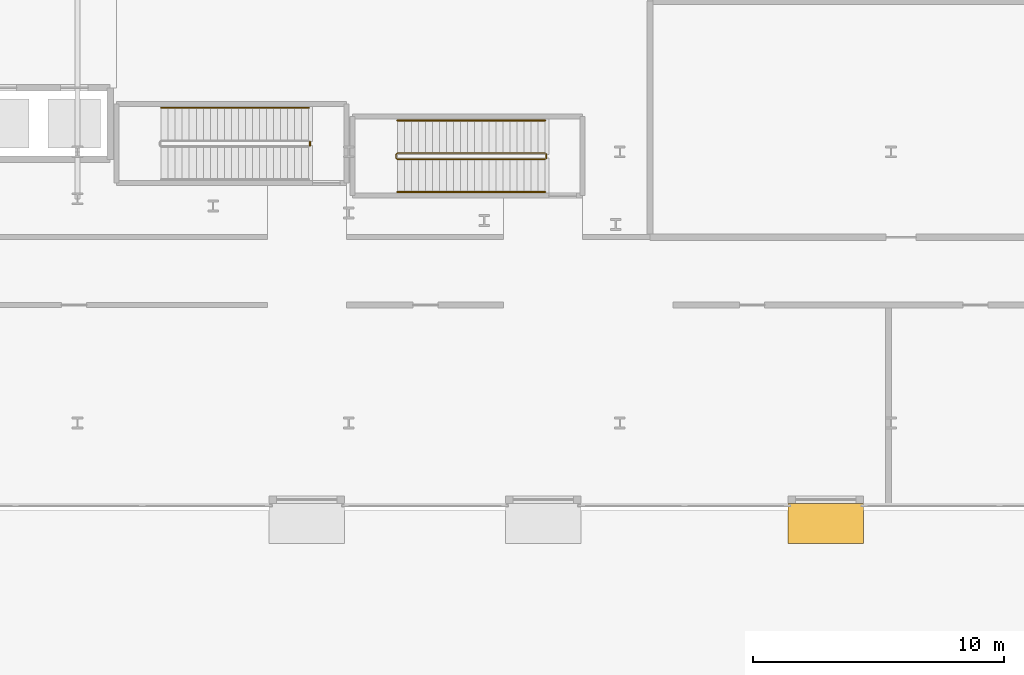
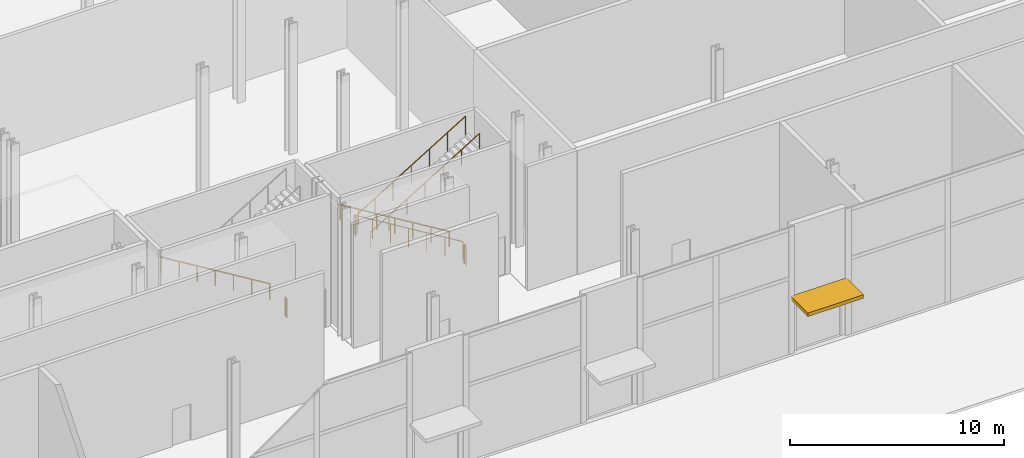
# One storey, part 38 of 46: 6 railings, 1 shading device.
"""IFC4 building model written with IfcOpenShell, lengths in metres."""

from ifc_helpers import new_model, si_unit, direction, frame, origin, origin_2d, place, context, subcontext, project, spatial, rectangle, circle, extrude, material, layer, layer_set, type_object, element, save


model = new_model("IFC4")

# Units and contexts
model_context = context("Model", 3, precision=1e-05, world=origin(), true_north=direction((0.0, 1.0)))
body_context = subcontext(model_context, "Body", "Model", "MODEL_VIEW")
ifc_project = project(units=[si_unit("LENGTHUNIT", "METRE"), si_unit("AREAUNIT", "SQUARE_METRE"), si_unit("VOLUMEUNIT", "CUBIC_METRE"), si_unit("PLANEANGLEUNIT", "RADIAN"), si_unit("MASSUNIT", "GRAM", prefix="KILO")], contexts=[model_context])

# Site, building, storey
site_placement = place(None, origin())
site = spatial("IfcSite", under=ifc_project, at=site_placement, CompositionType="ELEMENT")
building_placement = place(site_placement, origin())
building = spatial("IfcBuilding", under=site, at=building_placement, Name="Kheshtan School and Residences Tower", CompositionType="ELEMENT")
storey_placement = place(building_placement, origin())
storey = spatial("IfcBuildingStorey", under=building, at=storey_placement, Name="L00", CompositionType="ELEMENT", Elevation=0.0)

# Shading device
ifc_material_1 = material(Name="Zinc standing seam on insulated deck")
ifc_layer = layer(ifc_material_1, 0.10009765625)
ifc_layer_set = layer_set([ifc_layer], Name="Canopy awning")
shading_device_type = type_object("IfcShadingDeviceType", Name="Canopy awning", PredefinedType="AWNING", material=ifc_layer_set)
shading_device_placement = place(storey_placement, frame((99.0, 9.199951171875, 3.0), z_axis=(0.0, 0.0, 1.0), x_axis=(-1.0, 0.0, 0.0)))
element("IfcShadingDevice", 1, at=shading_device_placement, inside=storey, type_object=shading_device_type, Name="Entrance canopy 12.3", PredefinedType="AWNING", context=body_context, shape_type="SweptSolid", body=[
    extrude(rectangle(XDim=3.0, YDim=1.60009765625, at=origin_2d()), origin(), (0.0, 0.0, 1.0), 0.199951171875),
])

# Railings
ifc_material_2 = material(Name="Stainless steel balustrade", Category="steel")
railing_type_1 = type_object("IfcRailingType", Name="Stair guard 1100", PredefinedType="GUARDRAIL", material=ifc_material_2)
railing_1_placement = place(storey_placement, frame((87.820068359375, 23.949951171875, 0.17041015625)))
element("IfcRailing", 2, at=railing_1_placement, inside=storey, type_object=railing_type_1, Name="L00 ST4 stair guard 1", PredefinedType="GUARDRAIL", context=body_context, shape_type="SweptSolid", body=[
    extrude(circle(Radius=0.02392578125, at=origin_2d()), frame((0.0, 0.0, 1.076171875), z_axis=(-0.854173900383, 0.0, 0.519987449757), x_axis=(0.0, -1.0, 0.0)), (0.0, 0.0, 1.0), 6.884033203125),
    extrude(circle(Radius=0.02392578125, at=origin_2d()), frame((-5.880126953125, 0.0, 4.65576171875), z_axis=(-0.707106781187, -0.707106781187, 0.0), x_axis=(0.707106781187, -0.707106781187, 0.0)), (0.0, 0.0, 1.0), 0.07080078125),
    extrude(circle(Radius=0.02392578125, at=origin_2d()), frame((-5.93017578125, -0.050048828125, 4.65576171875), z_axis=(0.0, -1.0, 0.0), x_axis=(1.0, 0.0, 0.0)), (0.0, 0.0, 1.0), 0.14990234375),
    extrude(circle(Radius=0.02392578125, at=origin_2d()), frame((-5.93017578125, -0.199951171875, 4.65576171875), z_axis=(0.271230943075, -0.271230943075, 0.923508284228), x_axis=(0.707106781187, 0.707106781187, 0.0)), (0.0, 0.0, 1.0), 0.1845703125),
    extrude(circle(Radius=0.02392578125, at=origin_2d()), frame((-5.880126953125, -0.25, 4.826171875), z_axis=(0.854173900383, 0.0, 0.519987449757), x_axis=(0.0, 1.0, 0.0)), (0.0, 0.0, 1.0), 6.884033203125),
    extrude(circle(Radius=0.02099609375, at=origin_2d()), origin(), (0.0, 0.0, 1.0), 1.052001953125),
    extrude(circle(Radius=0.02099609375, at=origin_2d()), frame((-0.97998046875, 0.0, 0.5966796875)), (0.0, 0.0, 1.0), 1.052001953125),
    extrude(circle(Radius=0.02099609375, at=origin_2d()), frame((-1.9599609375, 0.0, 1.193115234375)), (0.0, 0.0, 1.0), 1.052001953125),
    extrude(circle(Radius=0.02099609375, at=origin_2d()), frame((-2.93994140625, 0.0, 1.789794921875)), (0.0, 0.0, 1.0), 1.052001953125),
    extrude(circle(Radius=0.02099609375, at=origin_2d()), frame((-3.920166015625, 0.0, 2.386474609375)), (0.0, 0.0, 1.0), 1.052001953125),
    extrude(circle(Radius=0.02099609375, at=origin_2d()), frame((-4.900146484375, 0.0, 2.98291015625)), (0.0, 0.0, 1.0), 1.052001953125),
    extrude(circle(Radius=0.02099609375, at=origin_2d()), frame((-5.880126953125, 0.0, 3.57958984375)), (0.0, 0.0, 1.0), 1.052001953125),
    extrude(circle(Radius=0.02099609375, at=origin_2d()), frame((-5.93017578125, -0.050048828125, 3.57958984375)), (0.0, 0.0, 1.0), 1.052001953125),
    extrude(circle(Radius=0.02099609375, at=origin_2d()), frame((-5.93017578125, -0.199951171875, 3.57958984375)), (0.0, 0.0, 1.0), 1.052001953125),
    extrude(circle(Radius=0.02099609375, at=origin_2d()), frame((-5.880126953125, -0.25, 3.75)), (0.0, 0.0, 1.0), 1.052001953125),
    extrude(circle(Radius=0.02099609375, at=origin_2d()), frame((-4.900146484375, -0.25, 4.3466796875)), (0.0, 0.0, 1.0), 1.052001953125),
    extrude(circle(Radius=0.02099609375, at=origin_2d()), frame((-3.920166015625, -0.25, 4.943115234375)), (0.0, 0.0, 1.0), 1.052001953125),
    extrude(circle(Radius=0.02099609375, at=origin_2d()), frame((-2.93994140625, -0.25, 5.539794921875)), (0.0, 0.0, 1.0), 1.052001953125),
    extrude(circle(Radius=0.02099609375, at=origin_2d()), frame((-1.9599609375, -0.25, 6.136474609375)), (0.0, 0.0, 1.0), 1.052001953125),
    extrude(circle(Radius=0.02099609375, at=origin_2d()), frame((-0.97998046875, -0.25, 6.73291015625)), (0.0, 0.0, 1.0), 1.052001953125),
    extrude(circle(Radius=0.02099609375, at=origin_2d()), frame((0.0, -0.25, 7.32958984375)), (0.0, 0.0, 1.0), 1.052001953125),
])
for number, where, name in (
    (3, (87.8701171875, 23.89990234375, 0.0), "L00 ST4 stair guard 2"),
    (4, (78.4599609375, 24.39990234375, 0.0), "L00 ST5 stair guard 2"),
):
    element("IfcRailing", number, at=place(storey_placement, frame(where)), inside=storey, type_object=railing_type_1, Name=name, PredefinedType="GUARDRAIL", context=body_context, shape_type="SweptSolid", body=[
        extrude(circle(Radius=0.02392578125, at=origin_2d()), frame((0.0, 0.0, 1.076171875), z_axis=(0.0, -1.0, 0.0), x_axis=(1.0, 0.0, 0.0)), (0.0, 0.0, 1.0), 0.14990234375),
        extrude(circle(Radius=0.02099609375, at=origin_2d()), origin(), (0.0, 0.0, 1.0), 1.052001953125),
        extrude(circle(Radius=0.02099609375, at=origin_2d()), frame((0.0, -0.14990234375, 0.0)), (0.0, 0.0, 1.0), 1.052001953125),
    ])
ifc_material_3 = material(Name="Stainless steel handrail", Category="steel")
railing_type_2 = type_object("IfcRailingType", Name="Stair handrail 900", PredefinedType="HANDRAIL", material=ifc_material_3)
railing_2_placement = place(storey_placement, frame((87.820068359375, 25.25, 0.17041015625)))
element("IfcRailing", 5, at=railing_2_placement, inside=storey, type_object=railing_type_2, Name="L00 ST4 stair handrail 1", PredefinedType="HANDRAIL", context=body_context, shape_type="SweptSolid", body=[
    extrude(circle(Radius=0.02392578125, at=origin_2d()), frame((0.0, 0.0, 0.8759765625), z_axis=(-0.854173900383, 0.0, 0.519987449757), x_axis=(0.0, -1.0, 0.0)), (0.0, 0.0, 1.0), 6.884033203125),
    extrude(circle(Radius=0.02099609375, at=origin_2d()), origin(), (0.0, 0.0, 1.0), 0.851806640625),
    extrude(circle(Radius=0.02099609375, at=origin_2d()), frame((-0.97998046875, 0.0, 0.5966796875)), (0.0, 0.0, 1.0), 0.851806640625),
    extrude(circle(Radius=0.02099609375, at=origin_2d()), frame((-1.9599609375, 0.0, 1.193115234375)), (0.0, 0.0, 1.0), 0.851806640625),
    extrude(circle(Radius=0.02099609375, at=origin_2d()), frame((-2.93994140625, 0.0, 1.789794921875)), (0.0, 0.0, 1.0), 0.851806640625),
    extrude(circle(Radius=0.02099609375, at=origin_2d()), frame((-3.920166015625, 0.0, 2.386474609375)), (0.0, 0.0, 1.0), 0.851806640625),
    extrude(circle(Radius=0.02099609375, at=origin_2d()), frame((-4.900146484375, 0.0, 2.98291015625)), (0.0, 0.0, 1.0), 0.851806640625),
    extrude(circle(Radius=0.02099609375, at=origin_2d()), frame((-5.880126953125, 0.0, 3.57958984375)), (0.0, 0.0, 1.0), 0.851806640625),
])
railing_3_placement = place(storey_placement, frame((81.93994140625, 22.39990234375, 3.92041015625)))
element("IfcRailing", 6, at=railing_3_placement, inside=storey, type_object=railing_type_2, Name="L00 ST4 stair handrail 2", PredefinedType="HANDRAIL", context=body_context, shape_type="SweptSolid", body=[
    extrude(circle(Radius=0.02392578125, at=origin_2d()), frame((0.0, 0.0, 0.8759765625), z_axis=(0.854173900383, 0.0, 0.519987449757), x_axis=(0.0, 1.0, 0.0)), (0.0, 0.0, 1.0), 6.884033203125),
    extrude(circle(Radius=0.02099609375, at=origin_2d()), origin(), (0.0, 0.0, 1.0), 0.851806640625),
    extrude(circle(Radius=0.02099609375, at=origin_2d()), frame((0.97998046875, 0.0, 0.5966796875)), (0.0, 0.0, 1.0), 0.851806640625),
    extrude(circle(Radius=0.02099609375, at=origin_2d()), frame((1.9599609375, 0.0, 1.193115234375)), (0.0, 0.0, 1.0), 0.851806640625),
    extrude(circle(Radius=0.02099609375, at=origin_2d()), frame((2.93994140625, 0.0, 1.789794921875)), (0.0, 0.0, 1.0), 0.851806640625),
    extrude(circle(Radius=0.02099609375, at=origin_2d()), frame((3.920166015625, 0.0, 2.386474609375)), (0.0, 0.0, 1.0), 0.851806640625),
    extrude(circle(Radius=0.02099609375, at=origin_2d()), frame((4.900146484375, 0.0, 2.98291015625)), (0.0, 0.0, 1.0), 0.851806640625),
    extrude(circle(Radius=0.02099609375, at=origin_2d()), frame((5.880126953125, 0.0, 3.57958984375)), (0.0, 0.0, 1.0), 0.851806640625),
])
railing_4_placement = place(storey_placement, frame((78.409912109375, 25.75, 0.17041015625)))
element("IfcRailing", 7, at=railing_4_placement, inside=storey, type_object=railing_type_2, Name="L00 ST5 stair handrail 1", PredefinedType="HANDRAIL", context=body_context, shape_type="SweptSolid", body=[
    extrude(circle(Radius=0.02392578125, at=origin_2d()), frame((0.0, 0.0, 0.8759765625), z_axis=(-0.854164310681, 0.0, 0.520003202259), x_axis=(0.0, -1.0, 0.0)), (0.0, 0.0, 1.0), 6.8837890625),
    extrude(circle(Radius=0.02099609375, at=origin_2d()), origin(), (0.0, 0.0, 1.0), 0.851806640625),
    extrude(circle(Radius=0.02099609375, at=origin_2d()), frame((-0.97998046875, 0.0, 0.5966796875)), (0.0, 0.0, 1.0), 0.851806640625),
    extrude(circle(Radius=0.02099609375, at=origin_2d()), frame((-1.9599609375, 0.0, 1.193115234375)), (0.0, 0.0, 1.0), 0.851806640625),
    extrude(circle(Radius=0.02099609375, at=origin_2d()), frame((-2.93994140625, 0.0, 1.789794921875)), (0.0, 0.0, 1.0), 0.851806640625),
    extrude(circle(Radius=0.02099609375, at=origin_2d()), frame((-3.919921875, 0.0, 2.386474609375)), (0.0, 0.0, 1.0), 0.851806640625),
    extrude(circle(Radius=0.02099609375, at=origin_2d()), frame((-4.89990234375, 0.0, 2.98291015625)), (0.0, 0.0, 1.0), 0.851806640625),
    extrude(circle(Radius=0.02099609375, at=origin_2d()), frame((-5.8798828125, 0.0, 3.57958984375)), (0.0, 0.0, 1.0), 0.851806640625),
])

save(model, "model.ifc")
